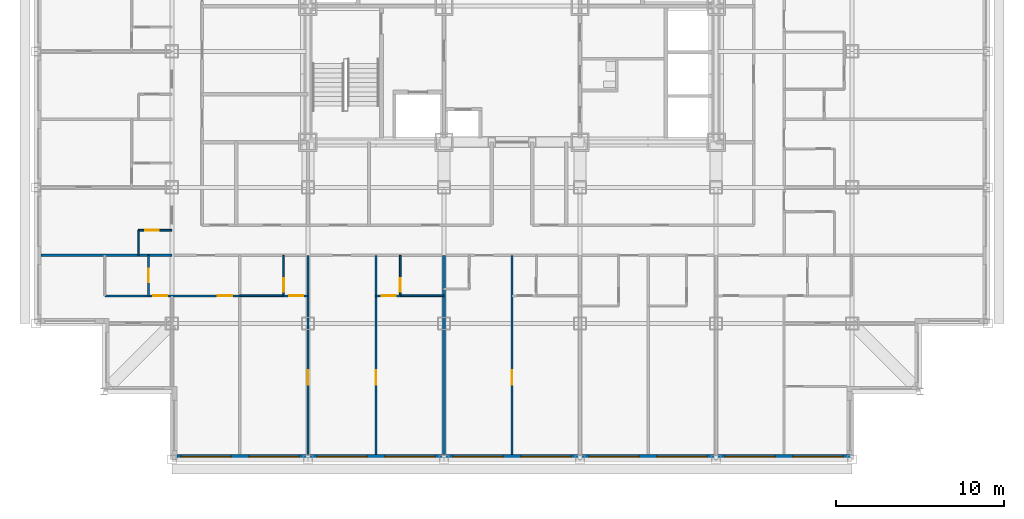
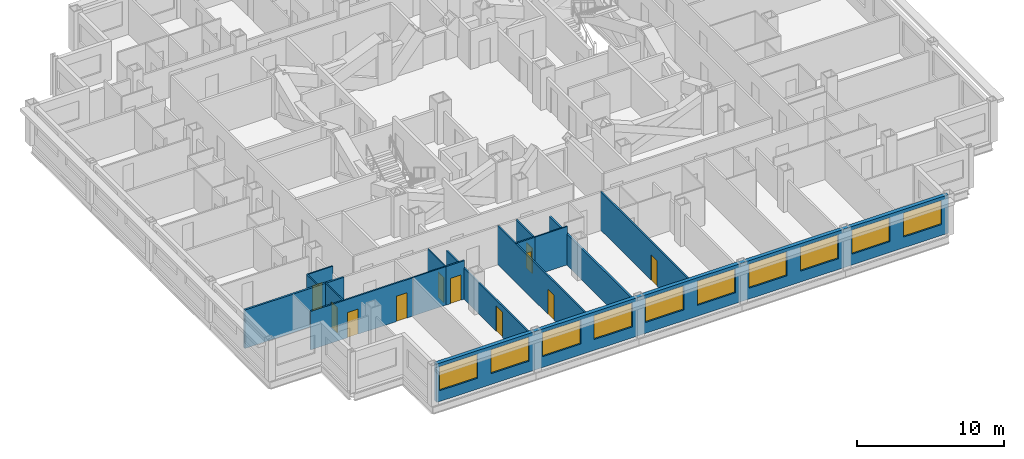
# One storey, part 4 of 14: 16 walls, 11 doors, 10 windows, 21 openings.
"""IFC4 building model written with IfcOpenShell, lengths in metres."""

from ifc_helpers import new_model, si_unit, direction, frame, frame_2d, origin, place, context, subcontext, project, spatial, rectangle, extrude, material, layer, layer_set, type_object, element, fill, save


model = new_model("IFC4")

# Units and contexts
model_context = context("Model", 3, precision=1e-05, world=origin(), true_north=direction((0.0, 1.0)))
body_context = subcontext(model_context, "Body", "Model", "MODEL_VIEW")
ifc_project = project(units=[si_unit("LENGTHUNIT", "METRE"), si_unit("AREAUNIT", "SQUARE_METRE"), si_unit("VOLUMEUNIT", "CUBIC_METRE"), si_unit("PLANEANGLEUNIT", "RADIAN"), si_unit("MASSUNIT", "GRAM", prefix="KILO")], contexts=[model_context])

# Site, building, storey
site_placement = place(None, origin())
site = spatial("IfcSite", under=ifc_project, at=site_placement, CompositionType="ELEMENT")
building_placement = place(site_placement, origin())
building = spatial("IfcBuilding", under=site, at=building_placement, Name="Kopane Lantern Tower", CompositionType="ELEMENT")
storey_placement = place(building_placement, frame((0.0, 0.0, 137.39990234375)))
storey = spatial("IfcBuildingStorey", under=building, at=storey_placement, Name="L35", CompositionType="ELEMENT", Elevation=137.39990234375)

# Wall, opening, door
ifc_material_1 = material(Name="Gypsum board on steel studs", Category="steel")
ifc_layer_1 = layer(ifc_material_1, 0.1201171875)
ifc_layer_set_1 = layer_set([ifc_layer_1], Name="APARTMENT INTERNAL WALL 120")
wall_type_1 = type_object("IfcWallType", Name="APARTMENT INTERNAL WALL 120", PredefinedType="PARTITIONING", material=ifc_layer_set_1)
wall_1_placement = place(storey_placement, frame((16.199951171875, 17.550048828125, 0.0), z_axis=(0.0, 0.0, 1.0), x_axis=(0.0, -1.0, 0.0)))
wall_1 = element("IfcWall", 1, at=wall_1_placement, inside=storey, type_object=wall_type_1, Name="Apartment Internal Wall 120 L35", PredefinedType="PARTITIONING", context=body_context, shape_type="SweptSolid", body=[
    extrude(rectangle(XDim=11.85009765625, YDim=0.1201171875, at=frame_2d((5.925048828125, 0.0))), origin(), (0.0, 0.0, 1.0), 2.577880859375),
])
opening_1_placement = place(wall_1_placement, frame((6.85009765625, 0.0, 0.0)))
opening_1 = element("IfcOpeningElement", 2, at=opening_1_placement, cuts=wall_1, Name="Opening L35-020", PredefinedType="OPENING", context=body_context, shape_type="SweptSolid", body=[
    extrude(rectangle(XDim=0.85009765625, YDim=2.10009765625, at=frame_2d((0.425048828125, 1.050048828125))), frame((0.0, 0.070068359375, 0.0), z_axis=(0.0, -1.0, 0.0), x_axis=(1.0, 0.0, 0.0)), (0.0, 0.0, 1.0), 0.14013671875),
])
ifc_material_2 = material(Name="Timber door set", Category="wood")
door_type_1 = type_object("IfcDoorType", Name="DOOR D4 850x2100", OperationType="SINGLE_SWING_LEFT", PredefinedType="DOOR", material=ifc_material_2)
door_1_placement = place(opening_1_placement, origin())
door_1 = element("IfcDoor", 3, at=door_1_placement, inside=storey, type_object=door_type_1, Name="Door L35-020", OperationType="SINGLE_SWING_RIGHT", OverallHeight=2.10009765625, OverallWidth=0.85009765625, PredefinedType="DOOR", context=body_context, shape_type="SweptSolid", body=[
    extrude(rectangle(XDim=0.85009765625, YDim=2.10009765625, at=frame_2d((0.425048828125, 1.050048828125))), frame((0.0, 0.02490234375, 0.0), z_axis=(0.0, -1.0, 0.0), x_axis=(1.0, 0.0, 0.0)), (0.0, 0.0, 1.0), 0.050048828125),
])
fill(opening_1, door_1)

wall_2_placement = place(storey_placement, frame((20.25, 17.550048828125, 0.0), z_axis=(0.0, 0.0, 1.0), x_axis=(0.0, -1.0, 0.0)))
wall_2 = element("IfcWall", 4, at=wall_2_placement, inside=storey, type_object=wall_type_1, Name="Apartment Internal Wall 120 L35", PredefinedType="PARTITIONING", context=body_context, shape_type="SweptSolid", body=[
    extrude(rectangle(XDim=11.85009765625, YDim=0.1201171875, at=frame_2d((5.925048828125, 0.0))), origin(), (0.0, 0.0, 1.0), 3.190185546875),
])
opening_2_placement = place(wall_2_placement, frame((6.85009765625, 0.0, 0.0)))
opening_2 = element("IfcOpeningElement", 5, at=opening_2_placement, cuts=wall_2, Name="Opening L35-022", PredefinedType="OPENING", context=body_context, shape_type="SweptSolid", body=[
    extrude(rectangle(XDim=0.85009765625, YDim=2.10009765625, at=frame_2d((0.425048828125, 1.050048828125))), frame((0.0, 0.070068359375, 0.0), z_axis=(0.0, -1.0, 0.0), x_axis=(1.0, 0.0, 0.0)), (0.0, 0.0, 1.0), 0.14013671875),
])
door_2_placement = place(opening_2_placement, origin())
door_2 = element("IfcDoor", 6, at=door_2_placement, inside=storey, type_object=door_type_1, Name="Door L35-022", OperationType="SINGLE_SWING_LEFT", OverallHeight=2.10009765625, OverallWidth=0.85009765625, PredefinedType="DOOR", context=body_context, shape_type="SweptSolid", body=[
    extrude(rectangle(XDim=0.85009765625, YDim=2.10009765625, at=frame_2d((0.425048828125, 1.050048828125))), frame((0.0, 0.02490234375, 0.0), z_axis=(0.0, -1.0, 0.0), x_axis=(1.0, 0.0, 0.0)), (0.0, 0.0, 1.0), 0.050048828125),
])
fill(opening_2, door_2)

wall_3_placement = place(storey_placement, frame((28.35009765625, 17.550048828125, 0.0), z_axis=(0.0, 0.0, 1.0), x_axis=(0.0, -1.0, 0.0)))
wall_3 = element("IfcWall", 7, at=wall_3_placement, inside=storey, type_object=wall_type_1, Name="Apartment Internal Wall 120 L35", PredefinedType="PARTITIONING", context=body_context, shape_type="SweptSolid", body=[
    extrude(rectangle(XDim=11.85009765625, YDim=0.1201171875, at=frame_2d((5.925048828125, 0.0))), origin(), (0.0, 0.0, 1.0), 3.190185546875),
])
opening_3_placement = place(wall_3_placement, frame((6.85009765625, 0.0, 0.0)))
opening_3 = element("IfcOpeningElement", 8, at=opening_3_placement, cuts=wall_3, Name="Opening L35-026", PredefinedType="OPENING", context=body_context, shape_type="SweptSolid", body=[
    extrude(rectangle(XDim=0.85009765625, YDim=2.10009765625, at=frame_2d((0.425048828125, 1.050048828125))), frame((0.0, 0.070068359375, 0.0), z_axis=(0.0, -1.0, 0.0), x_axis=(1.0, 0.0, 0.0)), (0.0, 0.0, 1.0), 0.14013671875),
])
door_3_placement = place(opening_3_placement, origin())
door_3 = element("IfcDoor", 9, at=door_3_placement, inside=storey, type_object=door_type_1, Name="Door L35-026", OperationType="SINGLE_SWING_LEFT", OverallHeight=2.10009765625, OverallWidth=0.85009765625, PredefinedType="DOOR", context=body_context, shape_type="SweptSolid", body=[
    extrude(rectangle(XDim=0.85009765625, YDim=2.10009765625, at=frame_2d((0.425048828125, 1.050048828125))), frame((0.0, 0.02490234375, 0.0), z_axis=(0.0, -1.0, 0.0), x_axis=(1.0, 0.0, 0.0)), (0.0, 0.0, 1.0), 0.050048828125),
])
fill(opening_3, door_3)

# Wall, openings, doors
wall_4_placement = place(storey_placement, frame((4.10009765625, 15.14990234375, 0.0), z_axis=(0.0, 0.0, 1.0), x_axis=(1.0, 0.0, 0.0)))
wall_4 = element("IfcWall", 10, at=wall_4_placement, inside=storey, type_object=wall_type_1, Name="Apartment Internal Wall 120 L35", PredefinedType="PARTITIONING", context=body_context, shape_type="SweptSolid", body=[
    extrude(rectangle(XDim=8.0498046875, YDim=0.1201171875, at=frame_2d((4.02490234375, 0.0))), origin(), (0.0, 0.0, 1.0), 3.190185546875),
])
opening_4_placement = place(wall_4_placement, frame((6.72509765625, 0.0, 0.0)))
opening_4 = element("IfcOpeningElement", 11, at=opening_4_placement, cuts=wall_4, Name="Opening L35-071", PredefinedType="OPENING", context=body_context, shape_type="SweptSolid", body=[
    extrude(rectangle(XDim=0.85009765625, YDim=2.10009765625, at=frame_2d((0.425048828125, 1.050048828125))), frame((0.0, 0.070068359375, 0.0), z_axis=(0.0, -1.0, 0.0), x_axis=(1.0, 0.0, 0.0)), (0.0, 0.0, 1.0), 0.14013671875),
])
opening_5_placement = place(wall_4_placement, frame((2.875, 0.0, 0.0)))
opening_5 = element("IfcOpeningElement", 12, at=opening_5_placement, cuts=wall_4, Name="Opening L35-073", PredefinedType="OPENING", context=body_context, shape_type="SweptSolid", body=[
    extrude(rectangle(XDim=0.85009765625, YDim=2.10009765625, at=frame_2d((0.425048828125, 1.050048828125))), frame((0.0, 0.070068359375, 0.0), z_axis=(0.0, -1.0, 0.0), x_axis=(1.0, 0.0, 0.0)), (0.0, 0.0, 1.0), 0.14013671875),
])
door_4_placement = place(opening_4_placement, origin())
door_4 = element("IfcDoor", 13, at=door_4_placement, inside=storey, type_object=door_type_1, Name="Door L35-071", OperationType="SINGLE_SWING_RIGHT", OverallHeight=2.10009765625, OverallWidth=0.85009765625, PredefinedType="DOOR", context=body_context, shape_type="SweptSolid", body=[
    extrude(rectangle(XDim=0.85009765625, YDim=2.10009765625, at=frame_2d((0.425048828125, 1.050048828125))), frame((0.0, 0.02490234375, 0.0), z_axis=(0.0, -1.0, 0.0), x_axis=(1.0, 0.0, 0.0)), (0.0, 0.0, 1.0), 0.050048828125),
])
fill(opening_4, door_4)
door_5_placement = place(opening_5_placement, origin())
door_5 = element("IfcDoor", 14, at=door_5_placement, inside=storey, type_object=door_type_1, Name="Door L35-073", OperationType="SINGLE_SWING_LEFT", OverallHeight=2.10009765625, OverallWidth=0.85009765625, PredefinedType="DOOR", context=body_context, shape_type="SweptSolid", body=[
    extrude(rectangle(XDim=0.85009765625, YDim=2.10009765625, at=frame_2d((0.425048828125, 1.050048828125))), frame((0.0, 0.02490234375, 0.0), z_axis=(0.0, -1.0, 0.0), x_axis=(1.0, 0.0, 0.0)), (0.0, 0.0, 1.0), 0.050048828125),
])
fill(opening_5, door_5)

# Wall, opening, door
wall_5_placement = place(storey_placement, frame((16.199951171875, 15.14990234375, 0.0), z_axis=(0.0, 0.0, 1.0), x_axis=(-1.0, 0.0, 0.0)))
wall_5 = element("IfcWall", 15, at=wall_5_placement, inside=storey, type_object=wall_type_1, Name="Apartment Internal Wall 120 L35", PredefinedType="PARTITIONING", context=body_context, shape_type="SweptSolid", body=[
    extrude(rectangle(XDim=1.4599609375, YDim=0.1201171875, at=frame_2d((0.72998046875, 0.0))), origin(), (0.0, 0.0, 1.0), 3.190185546875),
])
opening_6_placement = place(wall_5_placement, frame((0.27490234375, 0.0, 0.0)))
opening_6 = element("IfcOpeningElement", 16, at=opening_6_placement, cuts=wall_5, Name="Opening L35-087", PredefinedType="OPENING", context=body_context, shape_type="SweptSolid", body=[
    extrude(rectangle(XDim=0.85009765625, YDim=2.10009765625, at=frame_2d((0.425048828125, 1.050048828125))), frame((0.0, 0.070068359375, 0.0), z_axis=(0.0, -1.0, 0.0), x_axis=(1.0, 0.0, 0.0)), (0.0, 0.0, 1.0), 0.14013671875),
])
door_6_placement = place(opening_6_placement, origin())
door_6 = element("IfcDoor", 17, at=door_6_placement, inside=storey, type_object=door_type_1, Name="Door L35-087", OperationType="SINGLE_SWING_LEFT", OverallHeight=2.10009765625, OverallWidth=0.85009765625, PredefinedType="DOOR", context=body_context, shape_type="SweptSolid", body=[
    extrude(rectangle(XDim=0.85009765625, YDim=2.10009765625, at=frame_2d((0.425048828125, 1.050048828125))), frame((0.0, 0.02490234375, 0.0), z_axis=(0.0, -1.0, 0.0), x_axis=(1.0, 0.0, 0.0)), (0.0, 0.0, 1.0), 0.050048828125),
])
fill(opening_6, door_6)

wall_6_placement = place(storey_placement, frame((21.7099609375, 15.14990234375, 0.0), z_axis=(0.0, 0.0, 1.0), x_axis=(-1.0, 0.0, 0.0)))
wall_6 = element("IfcWall", 18, at=wall_6_placement, inside=storey, type_object=wall_type_1, Name="Apartment Internal Wall 120 L35", PredefinedType="PARTITIONING", context=body_context, shape_type="SweptSolid", body=[
    extrude(rectangle(XDim=1.4599609375, YDim=0.1201171875, at=frame_2d((0.72998046875, 0.0))), origin(), (0.0, 0.0, 1.0), 3.190185546875),
])
opening_7_placement = place(wall_6_placement, frame((0.27490234375, 0.0, 0.0)))
opening_7 = element("IfcOpeningElement", 19, at=opening_7_placement, cuts=wall_6, Name="Opening L35-088", PredefinedType="OPENING", context=body_context, shape_type="SweptSolid", body=[
    extrude(rectangle(XDim=0.85009765625, YDim=2.10009765625, at=frame_2d((0.425048828125, 1.050048828125))), frame((0.0, 0.070068359375, 0.0), z_axis=(0.0, -1.0, 0.0), x_axis=(1.0, 0.0, 0.0)), (0.0, 0.0, 1.0), 0.14013671875),
])
door_7_placement = place(opening_7_placement, origin())
door_7 = element("IfcDoor", 20, at=door_7_placement, inside=storey, type_object=door_type_1, Name="Door L35-088", OperationType="SINGLE_SWING_RIGHT", OverallHeight=2.10009765625, OverallWidth=0.85009765625, PredefinedType="DOOR", context=body_context, shape_type="SweptSolid", body=[
    extrude(rectangle(XDim=0.85009765625, YDim=2.10009765625, at=frame_2d((0.425048828125, 1.050048828125))), frame((0.0, 0.02490234375, 0.0), z_axis=(0.0, -1.0, 0.0), x_axis=(1.0, 0.0, 0.0)), (0.0, 0.0, 1.0), 0.050048828125),
])
fill(opening_7, door_7)

# Wall
ifc_material_3 = material(Name="Moisture-resistant board on steel studs", Category="steel")
ifc_layer_2 = layer(ifc_material_3, 0.10009765625)
ifc_layer_set_2 = layer_set([ifc_layer_2], Name="BATHROOM WALL 100")
wall_type_2 = type_object("IfcWallType", Name="BATHROOM WALL 100", PredefinedType="PARTITIONING", material=ifc_layer_set_2)
wall_7_placement = place(storey_placement, frame((12.14990234375, 15.14990234375, 0.0), z_axis=(0.0, 0.0, 1.0), x_axis=(1.0, 0.0, 0.0)))
element("IfcWall", 21, at=wall_7_placement, inside=storey, type_object=wall_type_2, Name="Bathroom Wall 100 L35", PredefinedType="PARTITIONING", context=body_context, shape_type="SweptSolid", body=[
    extrude(rectangle(XDim=2.60009765625, YDim=0.10009765625, at=frame_2d((1.300048828125, 0.0))), origin(), (0.0, 0.0, 1.0), 3.190185546875),
])

# Wall, opening, door
wall_8_placement = place(storey_placement, frame((14.75, 17.550048828125, 0.0), z_axis=(0.0, 0.0, 1.0), x_axis=(0.0, -1.0, 0.0)))
wall_8 = element("IfcWall", 22, at=wall_8_placement, inside=storey, type_object=wall_type_2, Name="Bathroom Wall 100 L35", PredefinedType="PARTITIONING", context=body_context, shape_type="SweptSolid", body=[
    extrude(rectangle(XDim=2.400146484375, YDim=0.10009765625, at=frame_2d((1.2001953125, 0.0))), origin(), (0.0, 0.0, 1.0), 3.190185546875),
])
opening_8_placement = place(wall_8_placement, frame((1.35009765625, 0.0, 0.0)))
opening_8 = element("IfcOpeningElement", 23, at=opening_8_placement, cuts=wall_8, Name="Opening L35-019", PredefinedType="OPENING", context=body_context, shape_type="SweptSolid", body=[
    extrude(rectangle(XDim=0.800048828125, YDim=2.10009765625, at=frame_2d((0.39990234375, 1.050048828125))), frame((0.0, 0.06005859375, 0.0), z_axis=(0.0, -1.0, 0.0), x_axis=(1.0, 0.0, 0.0)), (0.0, 0.0, 1.0), 0.1201171875),
])
ifc_material_4 = material(Name="Timber door set", Category="wood")
door_type_2 = type_object("IfcDoorType", Name="DOOR D2 800x2100", OperationType="SINGLE_SWING_LEFT", PredefinedType="DOOR", material=ifc_material_4)
door_8_placement = place(opening_8_placement, origin())
door_8 = element("IfcDoor", 24, at=door_8_placement, inside=storey, type_object=door_type_2, Name="Door L35-019", OperationType="SINGLE_SWING_RIGHT", OverallHeight=2.10009765625, OverallWidth=0.800048828125, PredefinedType="DOOR", context=body_context, shape_type="SweptSolid", body=[
    extrude(rectangle(XDim=0.800048828125, YDim=2.10009765625, at=frame_2d((0.39990234375, 1.050048828125))), frame((0.0, 0.02490234375, 0.0), z_axis=(0.0, -1.0, 0.0), x_axis=(1.0, 0.0, 0.0)), (0.0, 0.0, 1.0), 0.050048828125),
])
fill(opening_8, door_8)

# Wall
wall_9_placement = place(storey_placement, frame((21.699951171875, 15.14990234375, 0.0), z_axis=(0.0, 0.0, 1.0), x_axis=(1.0, 0.0, 0.0)))
element("IfcWall", 25, at=wall_9_placement, inside=storey, type_object=wall_type_2, Name="Bathroom Wall 100 L35", PredefinedType="PARTITIONING", context=body_context, shape_type="SweptSolid", body=[
    extrude(rectangle(XDim=2.60009765625, YDim=0.10009765625, at=frame_2d((1.300048828125, 0.0))), origin(), (0.0, 0.0, 1.0), 3.190185546875),
])

# Wall, opening, door
wall_10_placement = place(storey_placement, frame((21.699951171875, 17.550048828125, 0.0), z_axis=(0.0, 0.0, 1.0), x_axis=(0.0, -1.0, 0.0)))
wall_10 = element("IfcWall", 26, at=wall_10_placement, inside=storey, type_object=wall_type_2, Name="Bathroom Wall 100 L35", PredefinedType="PARTITIONING", context=body_context, shape_type="SweptSolid", body=[
    extrude(rectangle(XDim=2.400146484375, YDim=0.10009765625, at=frame_2d((1.2001953125, 0.0))), origin(), (0.0, 0.0, 1.0), 3.190185546875),
])
opening_9_placement = place(wall_10_placement, frame((1.35009765625, 0.0, 0.0)))
opening_9 = element("IfcOpeningElement", 27, at=opening_9_placement, cuts=wall_10, Name="Opening L35-021", PredefinedType="OPENING", context=body_context, shape_type="SweptSolid", body=[
    extrude(rectangle(XDim=0.800048828125, YDim=2.10009765625, at=frame_2d((0.39990234375, 1.050048828125))), frame((0.0, 0.06005859375, 0.0), z_axis=(0.0, -1.0, 0.0), x_axis=(1.0, 0.0, 0.0)), (0.0, 0.0, 1.0), 0.1201171875),
])
door_9_placement = place(opening_9_placement, origin())
door_9 = element("IfcDoor", 28, at=door_9_placement, inside=storey, type_object=door_type_2, Name="Door L35-021", OperationType="SINGLE_SWING_LEFT", OverallHeight=2.10009765625, OverallWidth=0.800048828125, PredefinedType="DOOR", context=body_context, shape_type="SweptSolid", body=[
    extrude(rectangle(XDim=0.800048828125, YDim=2.10009765625, at=frame_2d((0.39990234375, 1.050048828125))), frame((0.0, 0.02490234375, 0.0), z_axis=(0.0, -1.0, 0.0), x_axis=(1.0, 0.0, 0.0)), (0.0, 0.0, 1.0), 0.050048828125),
])
fill(opening_9, door_9)

# Wall
wall_11_placement = place(storey_placement, frame((6.10009765625, 17.550048828125, 0.0), z_axis=(0.0, 0.0, 1.0), x_axis=(0.0, 1.0, 0.0)))
element("IfcWall", 29, at=wall_11_placement, inside=storey, type_object=wall_type_2, Name="Bathroom Wall 100 L35", PredefinedType="PARTITIONING", context=body_context, shape_type="SweptSolid", body=[
    extrude(rectangle(XDim=1.5, YDim=0.10009765625, at=frame_2d((0.75, 0.0))), origin(), (0.0, 0.0, 1.0), 3.190185546875),
])

# Wall, opening, door
wall_12_placement = place(storey_placement, frame((8.10009765625, 19.050048828125, 0.0), z_axis=(0.0, 0.0, 1.0), x_axis=(-1.0, 0.0, 0.0)))
wall_12 = element("IfcWall", 30, at=wall_12_placement, inside=storey, type_object=wall_type_2, Name="Bathroom Wall 100 L35", PredefinedType="PARTITIONING", context=body_context, shape_type="SweptSolid", body=[
    extrude(rectangle(XDim=2.0, YDim=0.10009765625, at=frame_2d((1.0, 0.0))), origin(), (0.0, 0.0, 1.0), 3.190185546875),
])
opening_10_placement = place(wall_12_placement, frame((0.800048828125, 0.0, 0.0)))
opening_10 = element("IfcOpeningElement", 31, at=opening_10_placement, cuts=wall_12, Name="Opening L35-043", PredefinedType="OPENING", context=body_context, shape_type="SweptSolid", body=[
    extrude(rectangle(XDim=0.800048828125, YDim=2.10009765625, at=frame_2d((0.39990234375, 1.050048828125))), frame((0.0, 0.06005859375, 0.0), z_axis=(0.0, -1.0, 0.0), x_axis=(1.0, 0.0, 0.0)), (0.0, 0.0, 1.0), 0.1201171875),
])
door_10_placement = place(opening_10_placement, origin())
door_10 = element("IfcDoor", 32, at=door_10_placement, inside=storey, type_object=door_type_2, Name="Door L35-043", OperationType="SINGLE_SWING_RIGHT", OverallHeight=2.10009765625, OverallWidth=0.800048828125, PredefinedType="DOOR", context=body_context, shape_type="SweptSolid", body=[
    extrude(rectangle(XDim=0.800048828125, YDim=2.10009765625, at=frame_2d((0.39990234375, 1.050048828125))), frame((0.0, 0.02490234375, 0.0), z_axis=(0.0, -1.0, 0.0), x_axis=(1.0, 0.0, 0.0)), (0.0, 0.0, 1.0), 0.050048828125),
])
fill(opening_10, door_10)

wall_13_placement = place(storey_placement, frame((6.699951171875, 17.550048828125, 0.0), z_axis=(0.0, 0.0, 1.0), x_axis=(0.0, -1.0, 0.0)))
wall_13 = element("IfcWall", 33, at=wall_13_placement, inside=storey, type_object=wall_type_2, Name="Bathroom Wall 100 L35", PredefinedType="PARTITIONING", context=body_context, shape_type="SweptSolid", body=[
    extrude(rectangle(XDim=2.400146484375, YDim=0.10009765625, at=frame_2d((1.2001953125, 0.0))), origin(), (0.0, 0.0, 1.0), 3.190185546875),
])
opening_11_placement = place(wall_13_placement, frame((0.800048828125, 0.0, 0.0)))
opening_11 = element("IfcOpeningElement", 34, at=opening_11_placement, cuts=wall_13, Name="Opening L35-072", PredefinedType="OPENING", context=body_context, shape_type="SweptSolid", body=[
    extrude(rectangle(XDim=0.800048828125, YDim=2.10009765625, at=frame_2d((0.39990234375, 1.050048828125))), frame((0.0, 0.06005859375, 0.0), z_axis=(0.0, -1.0, 0.0), x_axis=(1.0, 0.0, 0.0)), (0.0, 0.0, 1.0), 0.1201171875),
])
door_11_placement = place(opening_11_placement, origin())
door_11 = element("IfcDoor", 35, at=door_11_placement, inside=storey, type_object=door_type_2, Name="Door L35-072", OperationType="SINGLE_SWING_RIGHT", OverallHeight=2.10009765625, OverallWidth=0.800048828125, PredefinedType="DOOR", context=body_context, shape_type="SweptSolid", body=[
    extrude(rectangle(XDim=0.800048828125, YDim=2.10009765625, at=frame_2d((0.39990234375, 1.050048828125))), frame((0.0, 0.02490234375, 0.0), z_axis=(0.0, -1.0, 0.0), x_axis=(1.0, 0.0, 0.0)), (0.0, 0.0, 1.0), 0.050048828125),
])
fill(opening_11, door_11)

# Walls
ifc_material_5 = material(Name="Gypsum board on steel studs", Category="steel")
ifc_layer_3 = layer(ifc_material_5, 0.14990234375)
ifc_layer_set_3 = layer_set([ifc_layer_3], Name="DEMISING WALL 150 EI 60")
wall_type_3 = type_object("IfcWallType", Name="DEMISING WALL 150 EI 60", PredefinedType="PARTITIONING", material=ifc_layer_set_3)
wall_14_placement = place(storey_placement, frame((24.300048828125, 17.550048828125, 0.0), z_axis=(0.0, 0.0, 1.0), x_axis=(0.0, -1.0, 0.0)))
element("IfcWall", 36, at=wall_14_placement, inside=storey, type_object=wall_type_3, Name="Demising Wall 150 Ei 60 L35", PredefinedType="PARTITIONING", context=body_context, shape_type="SweptSolid", body=[
    extrude(rectangle(XDim=11.85009765625, YDim=0.14990234375, at=frame_2d((5.925048828125, 0.0))), origin(), (0.0, 0.0, 1.0), 2.577880859375),
])
wall_15_placement = place(storey_placement, frame((0.300048828125, 17.550048828125, 0.0), z_axis=(0.0, 0.0, 1.0), x_axis=(1.0, 0.0, 0.0)))
element("IfcWall", 37, at=wall_15_placement, inside=storey, type_object=wall_type_3, Name="Demising Wall 150 Ei 60 L35", PredefinedType="PARTITIONING", context=body_context, shape_type="SweptSolid", body=[
    extrude(rectangle(XDim=7.800048828125, YDim=0.14990234375, at=frame_2d((3.89990234375, 0.0))), origin(), (0.0, 0.0, 1.0), 3.190185546875),
])

# Wall, openings, windows
ifc_material_6 = material(Name="Terracotta rainscreen on light steel framing", Category="masonry")
ifc_layer_4 = layer(ifc_material_6, 0.300048828125)
ifc_layer_set_4 = layer_set([ifc_layer_4], Name="EXTERNAL WALL EW1 300 TERRACOTTA")
wall_type_4 = type_object("IfcWallType", Name="EXTERNAL WALL EW1 300 TERRACOTTA", PredefinedType="SOLIDWALL", material=ifc_layer_set_4)
wall_16_placement = place(storey_placement, frame((8.39990234375, 5.550048828125, 0.0), z_axis=(0.0, 0.0, 1.0), x_axis=(1.0, 0.0, 0.0)))
wall_16 = element("IfcWall", 38, at=wall_16_placement, inside=storey, type_object=wall_type_4, Name="External wall S L35", PredefinedType="SOLIDWALL", context=body_context, shape_type="SweptSolid", body=[
    extrude(rectangle(XDim=40.2001953125, YDim=0.300048828125, at=frame_2d((20.10009765625, 0.0))), origin(), (0.0, 0.0, 1.0), 3.190185546875),
])
opening_12_placement = place(wall_16_placement, frame((0.22509765625, 0.0, 0.89990234375)))
opening_12 = element("IfcOpeningElement", 39, at=opening_12_placement, cuts=wall_16, Name="Opening WR300200", PredefinedType="OPENING", context=body_context, shape_type="SweptSolid", body=[
    extrude(rectangle(XDim=3.0, YDim=2.0, at=frame_2d((1.5, 1.0))), frame((0.0, 0.159912109375, 0.0), z_axis=(0.0, -1.0, 0.0), x_axis=(1.0, 0.0, 0.0)), (0.0, 0.0, 1.0), 0.320068359375),
])
opening_13_placement = place(wall_16_placement, frame((4.27490234375, 0.0, 0.89990234375)))
opening_13 = element("IfcOpeningElement", 40, at=opening_13_placement, cuts=wall_16, Name="Opening WR300200", PredefinedType="OPENING", context=body_context, shape_type="SweptSolid", body=[
    extrude(rectangle(XDim=3.0, YDim=2.0, at=frame_2d((1.5, 1.0))), frame((0.0, 0.159912109375, 0.0), z_axis=(0.0, -1.0, 0.0), x_axis=(1.0, 0.0, 0.0)), (0.0, 0.0, 1.0), 0.320068359375),
])
opening_14_placement = place(wall_16_placement, frame((8.324951171875, 0.0, 0.89990234375)))
opening_14 = element("IfcOpeningElement", 41, at=opening_14_placement, cuts=wall_16, Name="Opening WR300200", PredefinedType="OPENING", context=body_context, shape_type="SweptSolid", body=[
    extrude(rectangle(XDim=3.0, YDim=2.0, at=frame_2d((1.5, 1.0))), frame((0.0, 0.159912109375, 0.0), z_axis=(0.0, -1.0, 0.0), x_axis=(1.0, 0.0, 0.0)), (0.0, 0.0, 1.0), 0.320068359375),
])
opening_15_placement = place(wall_16_placement, frame((12.375, 0.0, 0.89990234375)))
opening_15 = element("IfcOpeningElement", 42, at=opening_15_placement, cuts=wall_16, Name="Opening WR300200", PredefinedType="OPENING", context=body_context, shape_type="SweptSolid", body=[
    extrude(rectangle(XDim=3.0, YDim=2.0, at=frame_2d((1.5, 1.0))), frame((0.0, 0.159912109375, 0.0), z_axis=(0.0, -1.0, 0.0), x_axis=(1.0, 0.0, 0.0)), (0.0, 0.0, 1.0), 0.320068359375),
])
opening_16_placement = place(wall_16_placement, frame((16.425048828125, 0.0, 0.89990234375)))
opening_16 = element("IfcOpeningElement", 43, at=opening_16_placement, cuts=wall_16, Name="Opening WR300200", PredefinedType="OPENING", context=body_context, shape_type="SweptSolid", body=[
    extrude(rectangle(XDim=3.0, YDim=2.0, at=frame_2d((1.5, 1.0))), frame((0.0, 0.159912109375, 0.0), z_axis=(0.0, -1.0, 0.0), x_axis=(1.0, 0.0, 0.0)), (0.0, 0.0, 1.0), 0.320068359375),
])
opening_17_placement = place(wall_16_placement, frame((20.47509765625, 0.0, 0.89990234375)))
opening_17 = element("IfcOpeningElement", 44, at=opening_17_placement, cuts=wall_16, Name="Opening WR300200", PredefinedType="OPENING", context=body_context, shape_type="SweptSolid", body=[
    extrude(rectangle(XDim=3.0, YDim=2.0, at=frame_2d((1.5, 1.0))), frame((0.0, 0.159912109375, 0.0), z_axis=(0.0, -1.0, 0.0), x_axis=(1.0, 0.0, 0.0)), (0.0, 0.0, 1.0), 0.320068359375),
])
opening_18_placement = place(wall_16_placement, frame((24.52490234375, 0.0, 0.89990234375)))
opening_18 = element("IfcOpeningElement", 45, at=opening_18_placement, cuts=wall_16, Name="Opening WR300200", PredefinedType="OPENING", context=body_context, shape_type="SweptSolid", body=[
    extrude(rectangle(XDim=3.0, YDim=2.0, at=frame_2d((1.5, 1.0))), frame((0.0, 0.159912109375, 0.0), z_axis=(0.0, -1.0, 0.0), x_axis=(1.0, 0.0, 0.0)), (0.0, 0.0, 1.0), 0.320068359375),
])
opening_19_placement = place(wall_16_placement, frame((28.574951171875, 0.0, 0.89990234375)))
opening_19 = element("IfcOpeningElement", 46, at=opening_19_placement, cuts=wall_16, Name="Opening WR300200", PredefinedType="OPENING", context=body_context, shape_type="SweptSolid", body=[
    extrude(rectangle(XDim=3.0, YDim=2.0, at=frame_2d((1.5, 1.0))), frame((0.0, 0.159912109375, 0.0), z_axis=(0.0, -1.0, 0.0), x_axis=(1.0, 0.0, 0.0)), (0.0, 0.0, 1.0), 0.320068359375),
])
opening_20_placement = place(wall_16_placement, frame((32.625, 0.0, 0.89990234375)))
opening_20 = element("IfcOpeningElement", 47, at=opening_20_placement, cuts=wall_16, Name="Opening WR300200", PredefinedType="OPENING", context=body_context, shape_type="SweptSolid", body=[
    extrude(rectangle(XDim=3.0, YDim=2.0, at=frame_2d((1.5, 1.0))), frame((0.0, 0.159912109375, 0.0), z_axis=(0.0, -1.0, 0.0), x_axis=(1.0, 0.0, 0.0)), (0.0, 0.0, 1.0), 0.320068359375),
])
opening_21_placement = place(wall_16_placement, frame((36.675048828125, 0.0, 0.89990234375)))
opening_21 = element("IfcOpeningElement", 48, at=opening_21_placement, cuts=wall_16, Name="Opening WR300200", PredefinedType="OPENING", context=body_context, shape_type="SweptSolid", body=[
    extrude(rectangle(XDim=3.0, YDim=2.0, at=frame_2d((1.5, 1.0))), frame((0.0, 0.159912109375, 0.0), z_axis=(0.0, -1.0, 0.0), x_axis=(1.0, 0.0, 0.0)), (0.0, 0.0, 1.0), 0.320068359375),
])
ifc_material_7 = material(Name="Aluminium and clear glass", Category="aluminium")
window_type = type_object("IfcWindowType", Name="RIBBON WINDOW WR300200 3000x2000", PartitioningType="SINGLE_PANEL", PredefinedType="WINDOW", material=ifc_material_7)
window_1_placement = place(opening_12_placement, origin())
window_1 = element("IfcWindow", 49, at=window_1_placement, inside=storey, type_object=window_type, Name="Window S L35", OverallHeight=2.0, OverallWidth=3.0, PartitioningType="SINGLE_PANEL", PredefinedType="WINDOW", context=body_context, shape_type="SweptSolid", body=[
    extrude(rectangle(XDim=3.0, YDim=2.0, at=frame_2d((1.5, 1.0))), frame((0.0, 0.030029296875, 0.0), z_axis=(0.0, -1.0, 0.0), x_axis=(1.0, 0.0, 0.0)), (0.0, 0.0, 1.0), 0.06005859375),
])
fill(opening_12, window_1)
window_2_placement = place(opening_13_placement, origin())
window_2 = element("IfcWindow", 50, at=window_2_placement, inside=storey, type_object=window_type, Name="Window S L35", OverallHeight=2.0, OverallWidth=3.0, PartitioningType="SINGLE_PANEL", PredefinedType="WINDOW", context=body_context, shape_type="SweptSolid", body=[
    extrude(rectangle(XDim=3.0, YDim=2.0, at=frame_2d((1.5, 1.0))), frame((0.0, 0.030029296875, 0.0), z_axis=(0.0, -1.0, 0.0), x_axis=(1.0, 0.0, 0.0)), (0.0, 0.0, 1.0), 0.06005859375),
])
fill(opening_13, window_2)
window_3_placement = place(opening_14_placement, origin())
window_3 = element("IfcWindow", 51, at=window_3_placement, inside=storey, type_object=window_type, Name="Window S L35", OverallHeight=2.0, OverallWidth=3.0, PartitioningType="SINGLE_PANEL", PredefinedType="WINDOW", context=body_context, shape_type="SweptSolid", body=[
    extrude(rectangle(XDim=3.0, YDim=2.0, at=frame_2d((1.5, 1.0))), frame((0.0, 0.030029296875, 0.0), z_axis=(0.0, -1.0, 0.0), x_axis=(1.0, 0.0, 0.0)), (0.0, 0.0, 1.0), 0.06005859375),
])
fill(opening_14, window_3)
window_4_placement = place(opening_15_placement, origin())
window_4 = element("IfcWindow", 52, at=window_4_placement, inside=storey, type_object=window_type, Name="Window S L35", OverallHeight=2.0, OverallWidth=3.0, PartitioningType="SINGLE_PANEL", PredefinedType="WINDOW", context=body_context, shape_type="SweptSolid", body=[
    extrude(rectangle(XDim=3.0, YDim=2.0, at=frame_2d((1.5, 1.0))), frame((0.0, 0.030029296875, 0.0), z_axis=(0.0, -1.0, 0.0), x_axis=(1.0, 0.0, 0.0)), (0.0, 0.0, 1.0), 0.06005859375),
])
fill(opening_15, window_4)
window_5_placement = place(opening_16_placement, origin())
window_5 = element("IfcWindow", 53, at=window_5_placement, inside=storey, type_object=window_type, Name="Window S L35", OverallHeight=2.0, OverallWidth=3.0, PartitioningType="SINGLE_PANEL", PredefinedType="WINDOW", context=body_context, shape_type="SweptSolid", body=[
    extrude(rectangle(XDim=3.0, YDim=2.0, at=frame_2d((1.5, 1.0))), frame((0.0, 0.030029296875, 0.0), z_axis=(0.0, -1.0, 0.0), x_axis=(1.0, 0.0, 0.0)), (0.0, 0.0, 1.0), 0.06005859375),
])
fill(opening_16, window_5)
window_6_placement = place(opening_17_placement, origin())
window_6 = element("IfcWindow", 54, at=window_6_placement, inside=storey, type_object=window_type, Name="Window S L35", OverallHeight=2.0, OverallWidth=3.0, PartitioningType="SINGLE_PANEL", PredefinedType="WINDOW", context=body_context, shape_type="SweptSolid", body=[
    extrude(rectangle(XDim=3.0, YDim=2.0, at=frame_2d((1.5, 1.0))), frame((0.0, 0.030029296875, 0.0), z_axis=(0.0, -1.0, 0.0), x_axis=(1.0, 0.0, 0.0)), (0.0, 0.0, 1.0), 0.06005859375),
])
fill(opening_17, window_6)
window_7_placement = place(opening_18_placement, origin())
window_7 = element("IfcWindow", 55, at=window_7_placement, inside=storey, type_object=window_type, Name="Window S L35", OverallHeight=2.0, OverallWidth=3.0, PartitioningType="SINGLE_PANEL", PredefinedType="WINDOW", context=body_context, shape_type="SweptSolid", body=[
    extrude(rectangle(XDim=3.0, YDim=2.0, at=frame_2d((1.5, 1.0))), frame((0.0, 0.030029296875, 0.0), z_axis=(0.0, -1.0, 0.0), x_axis=(1.0, 0.0, 0.0)), (0.0, 0.0, 1.0), 0.06005859375),
])
fill(opening_18, window_7)
window_8_placement = place(opening_19_placement, origin())
window_8 = element("IfcWindow", 56, at=window_8_placement, inside=storey, type_object=window_type, Name="Window S L35", OverallHeight=2.0, OverallWidth=3.0, PartitioningType="SINGLE_PANEL", PredefinedType="WINDOW", context=body_context, shape_type="SweptSolid", body=[
    extrude(rectangle(XDim=3.0, YDim=2.0, at=frame_2d((1.5, 1.0))), frame((0.0, 0.030029296875, 0.0), z_axis=(0.0, -1.0, 0.0), x_axis=(1.0, 0.0, 0.0)), (0.0, 0.0, 1.0), 0.06005859375),
])
fill(opening_19, window_8)
window_9_placement = place(opening_20_placement, origin())
window_9 = element("IfcWindow", 57, at=window_9_placement, inside=storey, type_object=window_type, Name="Window S L35", OverallHeight=2.0, OverallWidth=3.0, PartitioningType="SINGLE_PANEL", PredefinedType="WINDOW", context=body_context, shape_type="SweptSolid", body=[
    extrude(rectangle(XDim=3.0, YDim=2.0, at=frame_2d((1.5, 1.0))), frame((0.0, 0.030029296875, 0.0), z_axis=(0.0, -1.0, 0.0), x_axis=(1.0, 0.0, 0.0)), (0.0, 0.0, 1.0), 0.06005859375),
])
fill(opening_20, window_9)
window_10_placement = place(opening_21_placement, origin())
window_10 = element("IfcWindow", 58, at=window_10_placement, inside=storey, type_object=window_type, Name="Window S L35", OverallHeight=2.0, OverallWidth=3.0, PartitioningType="SINGLE_PANEL", PredefinedType="WINDOW", context=body_context, shape_type="SweptSolid", body=[
    extrude(rectangle(XDim=3.0, YDim=2.0, at=frame_2d((1.5, 1.0))), frame((0.0, 0.030029296875, 0.0), z_axis=(0.0, -1.0, 0.0), x_axis=(1.0, 0.0, 0.0)), (0.0, 0.0, 1.0), 0.06005859375),
])
fill(opening_21, window_10)

save(model, "model.ifc")
